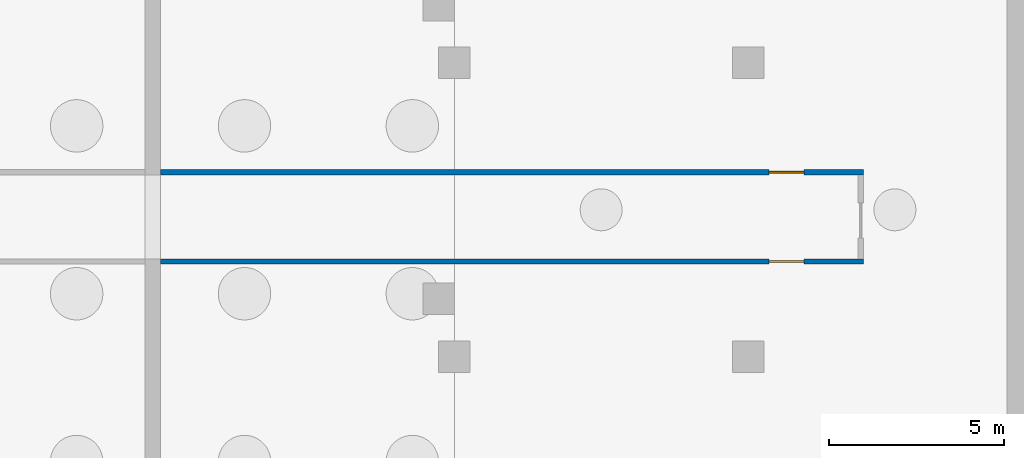
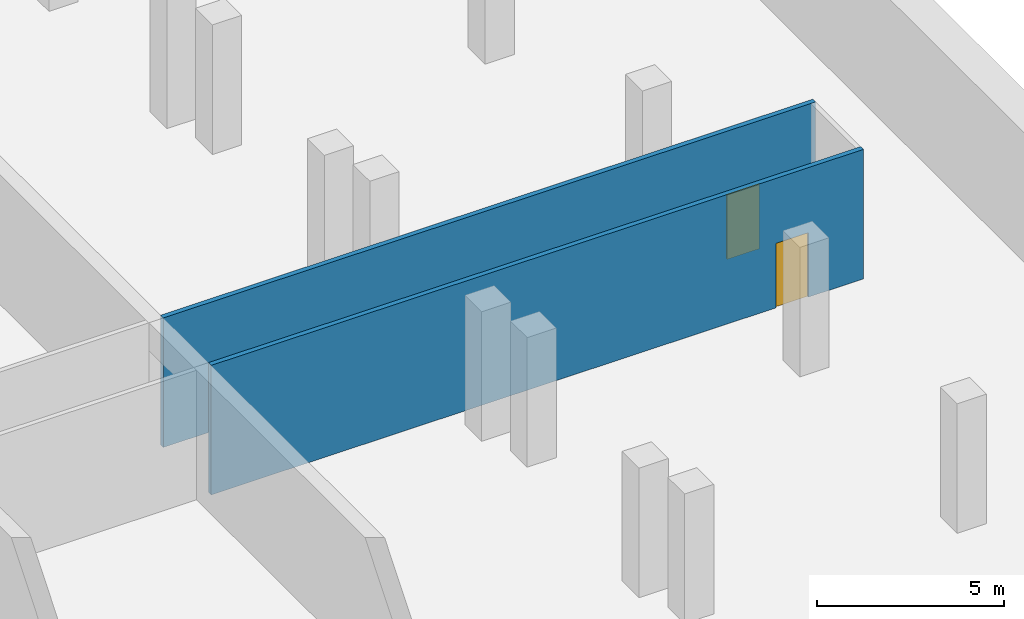
# One storey, part 12 of 17: 2 doors, 2 walls, 2 openings.
"""IFC4 building model written with IfcOpenShell, lengths in metres."""

from ifc_helpers import new_model, si_unit, direction, frame, frame_2d, origin, place, context, subcontext, project, spatial, rectangle, extrude, source, transform, mapped, material, layer, layer_set, type_object, element, fill, save


model = new_model("IFC4")

# Units and contexts
model_context = context("Model", 3, precision=1e-05, world=origin(), true_north=direction((0.0, 1.0)))
body_context = subcontext(model_context, "Body", "Model", "MODEL_VIEW")
ifc_project = project(units=[si_unit("LENGTHUNIT", "METRE"), si_unit("AREAUNIT", "SQUARE_METRE"), si_unit("VOLUMEUNIT", "CUBIC_METRE"), si_unit("PLANEANGLEUNIT", "RADIAN"), si_unit("MASSUNIT", "GRAM", prefix="KILO")], contexts=[model_context])

# Site, building, storey
site_placement = place(None, origin())
site = spatial("IfcSite", under=ifc_project, at=site_placement, CompositionType="ELEMENT")
building_placement = place(site_placement, origin())
building = spatial("IfcBuilding", under=site, at=building_placement, Name="Vanashikhar Sky Hotel", CompositionType="ELEMENT")
storey_placement = place(building_placement, frame((0.0, 0.0, -13.5)))
storey = spatial("IfcBuildingStorey", under=building, at=storey_placement, Name="B3", CompositionType="ELEMENT", Elevation=-13.5)

# Wall, opening, door
ifc_material_1 = material(Name="Concrete M30", Category="concrete")
ifc_layer = layer(ifc_material_1, 0.14990234375)
ifc_layer_set = layer_set([ifc_layer], Name="Car park partition 150 mm")
wall_type = type_object("IfcWallType", Name="Car park partition 150 mm", PredefinedType="PARTITIONING", material=ifc_layer_set)
shared_shape_1 = source(origin(), body_context, "Body", "SweptSolid", [
    extrude(rectangle(XDim=20.099853515625, YDim=0.14990234375, at=frame_2d((10.0498046875, 0.0))), origin(), (0.0, 0.0, 1.0), 4.219970703125),
])
wall_1_placement = place(storey_placement, frame((100.800048828125, 19.52490234375, 0.0), z_axis=(0.0, 0.0, 1.0), x_axis=(1.0, 0.0, 0.0)))
wall_1 = element("IfcWall", 1, at=wall_1_placement, inside=storey, type_object=wall_type, Name="Car park partition", PredefinedType="PARTITIONING", context=body_context, shape_type="MappedRepresentation", body=[
    mapped(shared_shape_1, transform((0.0, 0.0, 0.0), scale=1.0)),
])
shared_shape_2 = source(origin(), body_context, "Body", "SweptSolid", [
    extrude(rectangle(XDim=1.0, YDim=2.10009765625, at=frame_2d((0.5, 1.050048828125))), frame((0.0, 0.0849609375, 0.0), z_axis=(0.0, -1.0, 0.0), x_axis=(1.0, 0.0, 0.0)), (0.0, 0.0, 1.0), 0.169921875),
])
opening_1_placement = place(wall_1_placement, frame((17.39990234375, 0.0, 0.0)))
opening_1 = element("IfcOpeningElement", 2, at=opening_1_placement, cuts=wall_1, Name="Opening PD-03", PredefinedType="OPENING", context=body_context, shape_type="MappedRepresentation", body=[
    mapped(shared_shape_2, transform((0.0, 0.0, 0.0), scale=1.0)),
])
ifc_material_2 = material(Name="Steel S355", Category="steel")
door_type = type_object("IfcDoorType", Name="Car park lobby door 1000 FD120", OperationType="NOTDEFINED", PredefinedType="DOOR", material=ifc_material_2)
shared_shape_3 = source(origin(), body_context, "Body", "SweptSolid", [
    extrude(rectangle(XDim=1.0, YDim=2.10009765625, at=frame_2d((0.5, 1.050048828125))), frame((0.0, 0.02490234375, 0.0), z_axis=(0.0, -1.0, 0.0), x_axis=(1.0, 0.0, 0.0)), (0.0, 0.0, 1.0), 0.050048828125),
])
door_1_placement = place(opening_1_placement, origin())
door_1 = element("IfcDoor", 3, at=door_1_placement, inside=storey, type_object=door_type, Name="Car park lobby door", OperationType="SINGLE_SWING_LEFT", OverallHeight=2.10009765625, OverallWidth=1.0, PredefinedType="DOOR", context=body_context, shape_type="MappedRepresentation", body=[
    mapped(shared_shape_3, transform((0.0, 0.0, 0.0), scale=1.0)),
])
fill(opening_1, door_1)

wall_2_placement = place(storey_placement, frame((100.800048828125, 22.074951171875, 0.0), z_axis=(0.0, 0.0, 1.0), x_axis=(1.0, 0.0, 0.0)))
wall_2 = element("IfcWall", 4, at=wall_2_placement, inside=storey, type_object=wall_type, Name="Car park partition", PredefinedType="PARTITIONING", context=body_context, shape_type="MappedRepresentation", body=[
    mapped(shared_shape_1, transform((0.0, 0.0, 0.0), scale=1.0)),
])
opening_2_placement = place(wall_2_placement, frame((17.39990234375, 0.0, 0.0)))
opening_2 = element("IfcOpeningElement", 5, at=opening_2_placement, cuts=wall_2, Name="Opening PD-04", PredefinedType="OPENING", context=body_context, shape_type="MappedRepresentation", body=[
    mapped(shared_shape_2, transform((0.0, 0.0, 0.0), scale=1.0)),
])
door_2_placement = place(opening_2_placement, origin())
door_2 = element("IfcDoor", 6, at=door_2_placement, inside=storey, type_object=door_type, Name="Car park lobby door", OperationType="SINGLE_SWING_RIGHT", OverallHeight=2.10009765625, OverallWidth=1.0, PredefinedType="DOOR", context=body_context, shape_type="MappedRepresentation", body=[
    mapped(shared_shape_3, transform((0.0, 0.0, 0.0), scale=1.0)),
])
fill(opening_2, door_2)

save(model, "model.ifc")
